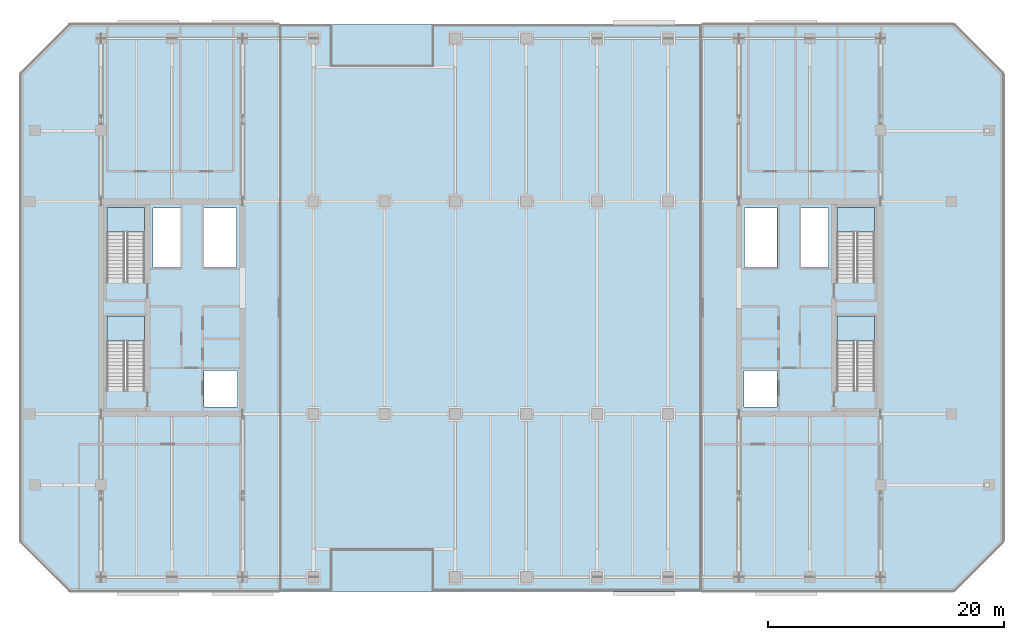
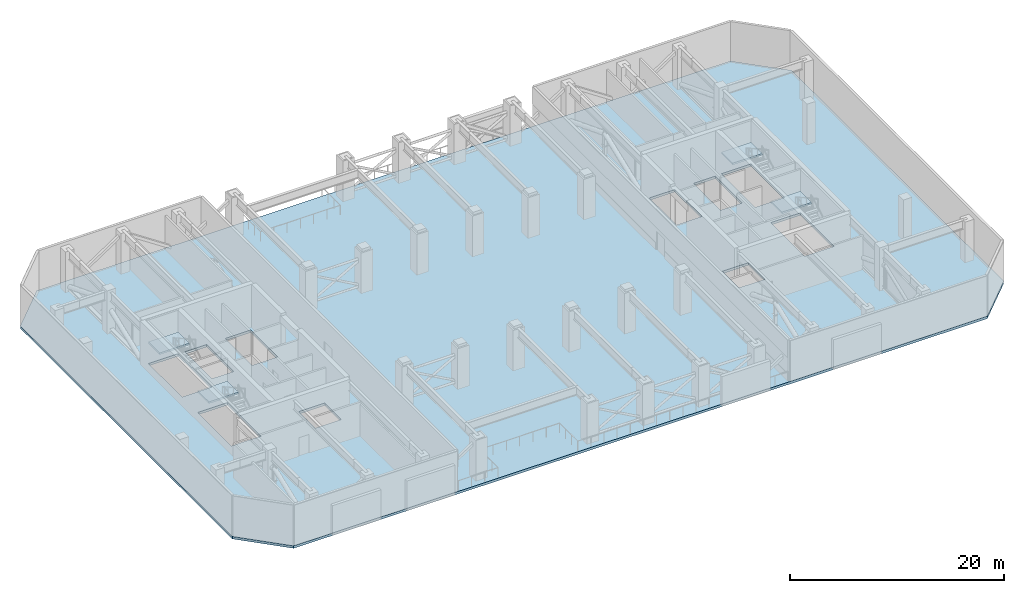
# One storey, part 9 of 21: 5 slabs, 4 elements without a shape of their own.
"""IFC4 building model written with IfcOpenShell, lengths in metres."""

from ifc_helpers import new_model, si_unit, direction, frame, origin, place, context, subcontext, project, spatial, polyline, outline, extrude, material, layer, layer_set, type_object, element, aggregate, save


model = new_model("IFC4")

# Units and contexts
model_context = context("Model", 3, precision=1e-05, world=origin(), true_north=direction((0.0, 1.0)))
body_context = subcontext(model_context, "Body", "Model", "MODEL_VIEW")
ifc_project = project(units=[si_unit("LENGTHUNIT", "METRE"), si_unit("AREAUNIT", "SQUARE_METRE"), si_unit("VOLUMEUNIT", "CUBIC_METRE"), si_unit("PLANEANGLEUNIT", "RADIAN"), si_unit("MASSUNIT", "GRAM", prefix="KILO")], contexts=[model_context])

# Site, building, storey
site_placement = place(None, origin())
site = spatial("IfcSite", under=ifc_project, at=site_placement, CompositionType="ELEMENT")
building_placement = place(site_placement, origin())
building = spatial("IfcBuilding", under=site, at=building_placement, Name="Tanjung Sevakor Pilgrim Tower", CompositionType="ELEMENT")
storey_placement = place(building_placement, frame((0.0, 0.0, 123.090087890625)))
storey = spatial("IfcBuildingStorey", under=building, at=storey_placement, Name="L34", CompositionType="ELEMENT", Elevation=123.090087890625)

# Stair, slab
ifc_material_1 = material(Name="Concrete C40/50", Category="concrete")
stair_type = type_object("IfcStairType", Name="STAIR-ST-CR150", PredefinedType="HALF_TURN_STAIR", material=ifc_material_1)
stair_1_placement = place(storey_placement, origin())
stair_1 = element("IfcStair", 1, at=stair_1_placement, inside=storey, type_object=stair_type, Name="L34 West Core Exit Stair 1", PredefinedType="HALF_TURN_STAIR")
ifc_material_2 = material(Name="Concrete C40/50", Category="concrete")
ifc_layer_1 = layer(ifc_material_2, 0.199951171875)
ifc_layer_set_1 = layer_set([ifc_layer_1], Name="SL-LAND-200")
slab_type_1 = type_object("IfcSlabType", Name="SL-LAND-200", PredefinedType="LANDING", material=ifc_layer_set_1)
slab_1_placement = place(storey_placement, frame((0.0, 0.0, 2.27490234375)))
slab_1 = element("IfcSlab", 2, at=slab_1_placement, type_object=slab_type_1, Name="TS-W1 landing 1", PredefinedType="LANDING", context=body_context, shape_type="SweptSolid", body=[
    extrude(outline(polyline([(27.699951171875, 30.800048828125), (27.699951171875, 32.89990234375), (24.5, 32.89990234375), (24.5, 30.800048828125), (27.699951171875, 30.800048828125)])), origin(), (0.0, 0.0, 1.0), 0.199951171875),
])
aggregate(stair_1, [slab_1])

stair_2_placement = place(storey_placement, origin())
stair_2 = element("IfcStair", 3, at=stair_2_placement, inside=storey, type_object=stair_type, Name="L34 West Core Exit Stair 2", PredefinedType="HALF_TURN_STAIR")
slab_2_placement = place(storey_placement, frame((0.0, 0.0, 2.27490234375)))
slab_2 = element("IfcSlab", 4, at=slab_2_placement, type_object=slab_type_1, Name="TS-W2 landing 1", PredefinedType="LANDING", context=body_context, shape_type="SweptSolid", body=[
    extrude(outline(polyline([(27.699951171875, 40.0), (27.699951171875, 42.10009765625), (24.5, 42.10009765625), (24.5, 40.0), (27.699951171875, 40.0)])), origin(), (0.0, 0.0, 1.0), 0.199951171875),
])
aggregate(stair_2, [slab_2])

stair_3_placement = place(storey_placement, origin())
stair_3 = element("IfcStair", 5, at=stair_3_placement, inside=storey, type_object=stair_type, Name="L34 East Core Exit Stair 1", PredefinedType="HALF_TURN_STAIR")
slab_3_placement = place(storey_placement, frame((0.0, 0.0, 2.27490234375)))
slab_3 = element("IfcSlab", 6, at=slab_3_placement, type_object=slab_type_1, Name="TS-E1 landing 1", PredefinedType="LANDING", context=body_context, shape_type="SweptSolid", body=[
    extrude(outline(polyline([(89.5, 30.800048828125), (89.5, 32.89990234375), (86.300048828125, 32.89990234375), (86.300048828125, 30.800048828125), (89.5, 30.800048828125)])), origin(), (0.0, 0.0, 1.0), 0.199951171875),
])
aggregate(stair_3, [slab_3])

stair_4_placement = place(storey_placement, origin())
stair_4 = element("IfcStair", 7, at=stair_4_placement, inside=storey, type_object=stair_type, Name="L34 East Core Exit Stair 2", PredefinedType="HALF_TURN_STAIR")
slab_4_placement = place(storey_placement, frame((0.0, 0.0, 2.27490234375)))
slab_4 = element("IfcSlab", 8, at=slab_4_placement, type_object=slab_type_1, Name="TS-E2 landing 1", PredefinedType="LANDING", context=body_context, shape_type="SweptSolid", body=[
    extrude(outline(polyline([(89.5, 40.0), (89.5, 42.10009765625), (86.300048828125, 42.10009765625), (86.300048828125, 40.0), (89.5, 40.0)])), origin(), (0.0, 0.0, 1.0), 0.199951171875),
])
aggregate(stair_4, [slab_4])

# Slab
ifc_material_3 = material(Name="Concrete C40/50", Category="concrete")
ifc_layer_2 = layer(ifc_material_3, 0.280029296875)
ifc_layer_set_2 = layer_set([ifc_layer_2], Name="SL-SKY-280")
slab_type_2 = type_object("IfcSlabType", Name="SL-SKY-280", PredefinedType="FLOOR", material=ifc_layer_set_2)
slab_5_placement = place(storey_placement, frame((0.0, 0.0, -0.280029296875)))
element("IfcSlab", 9, at=slab_5_placement, inside=storey, type_object=slab_type_2, Name="L34 Floor Slab MAIN", PredefinedType="FLOOR", context=body_context, shape_type="SweptSolid", body=[
    extrude(outline(polyline([(21.39990234375, 9.60009765625), (96.199951171875, 9.60009765625), (100.39990234375, 13.800048828125), (100.39990234375, 53.39990234375), (96.199951171875, 57.60009765625), (21.39990234375, 57.60009765625), (17.199951171875, 53.39990234375), (17.199951171875, 13.800048828125), (21.39990234375, 9.60009765625)]), holes=[polyline([(27.699951171875, 26.60009765625), (27.699951171875, 32.89990234375), (24.5, 32.89990234375), (24.5, 26.60009765625), (27.699951171875, 26.60009765625)]), polyline([(27.699951171875, 35.800048828125), (27.699951171875, 42.10009765625), (24.5, 42.10009765625), (24.5, 35.800048828125), (27.699951171875, 35.800048828125)]), polyline([(89.5, 26.60009765625), (89.5, 32.89990234375), (86.300048828125, 32.89990234375), (86.300048828125, 26.60009765625), (89.5, 26.60009765625)]), polyline([(89.5, 35.800048828125), (89.5, 42.10009765625), (86.300048828125, 42.10009765625), (86.300048828125, 35.800048828125), (89.5, 35.800048828125)]), polyline([(32.75, 25.199951171875), (35.550048828125, 25.199951171875), (35.550048828125, 28.300048828125), (32.75, 28.300048828125), (32.75, 25.199951171875)]), polyline([(28.39990234375, 37.0), (30.75, 37.0), (30.75, 42.050048828125), (28.39990234375, 42.050048828125), (28.39990234375, 37.0)]), polyline([(32.75, 37.0), (35.5, 37.0), (35.5, 42.050048828125), (32.75, 42.050048828125), (32.75, 37.0)]), polyline([(78.449951171875, 25.199951171875), (81.25, 25.199951171875), (81.25, 28.300048828125), (78.449951171875, 28.300048828125), (78.449951171875, 25.199951171875)]), polyline([(83.25, 37.0), (85.60009765625, 37.0), (85.60009765625, 42.050048828125), (83.25, 42.050048828125), (83.25, 37.0)]), polyline([(78.5, 37.0), (81.25, 37.0), (81.25, 42.050048828125), (78.5, 42.050048828125), (78.5, 37.0)])]), origin(), (0.0, 0.0, 1.0), 0.280029296875),
])

save(model, "model.ifc")
